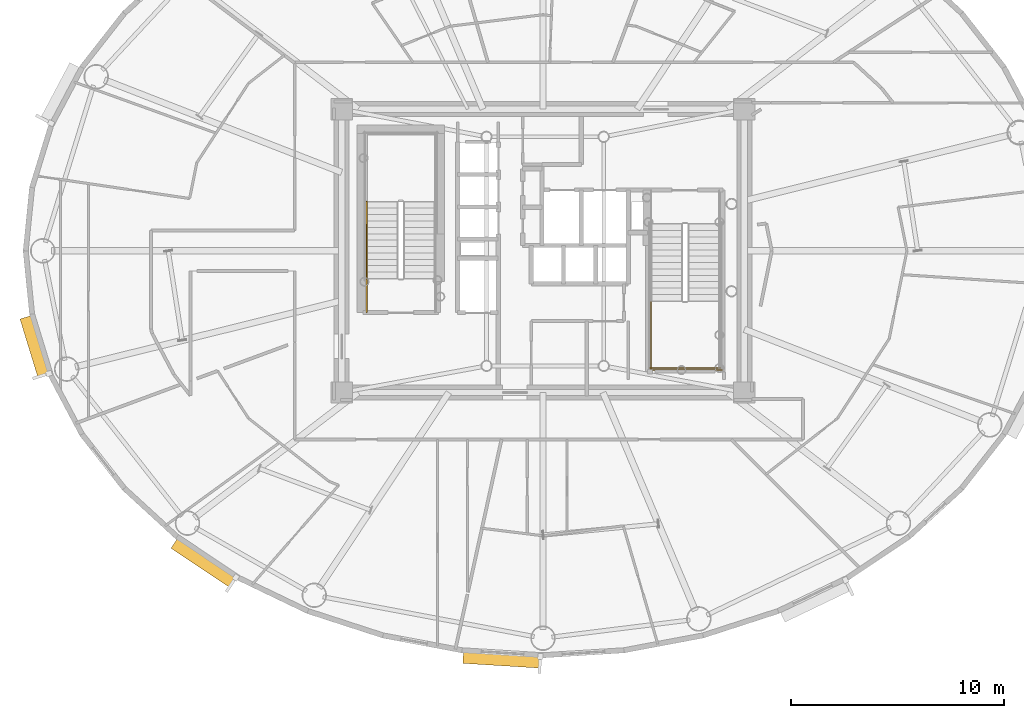
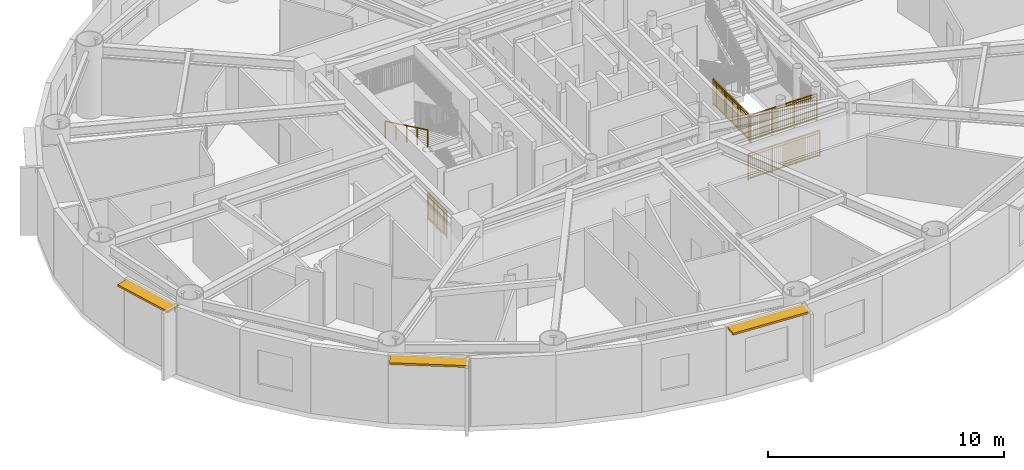
# One storey, part 15 of 22: 5 railings, 3 shading devices.
"""IFC4 building model written with IfcOpenShell, lengths in metres."""

from ifc_helpers import new_model, si_unit, direction, frame, origin, origin_2d, place, context, subcontext, project, spatial, rectangle, extrude, source, transform, mapped, material, layer, layer_set, type_object, element, save


model = new_model("IFC4")

# Units and contexts
model_context = context("Model", 3, precision=1e-05, world=origin(), true_north=direction((0.0, 1.0)))
body_context = subcontext(model_context, "Body", "Model", "MODEL_VIEW")
ifc_project = project(units=[si_unit("LENGTHUNIT", "METRE"), si_unit("AREAUNIT", "SQUARE_METRE"), si_unit("VOLUMEUNIT", "CUBIC_METRE"), si_unit("PLANEANGLEUNIT", "RADIAN"), si_unit("MASSUNIT", "GRAM", prefix="KILO")], contexts=[model_context])

# Site, building, storey
site_placement = place(None, origin())
site = spatial("IfcSite", under=ifc_project, at=site_placement, CompositionType="ELEMENT")
building_placement = place(site_placement, origin())
building = spatial("IfcBuilding", under=site, at=building_placement, Name="Linh Dai School and Residence Tower", CompositionType="ELEMENT")
storey_placement = place(building_placement, frame((0.0, 0.0, 214.050048828125)))
storey = spatial("IfcBuildingStorey", under=building, at=storey_placement, Name="L52", CompositionType="ELEMENT", Elevation=214.050048828125)

# Shading devices
ifc_material_1 = material(Name="Terracotta Ceramic Sunshade", Category="masonry")
ifc_layer = layer(ifc_material_1, 0.10009765625)
ifc_layer_set = layer_set([ifc_layer], Name="Terracotta Ceramic Sunshade")
shading_device_type = type_object("IfcShadingDeviceType", Name="SHD-TC-650", PredefinedType="USERDEFINED", material=ifc_layer_set)
shared_shape_1 = source(origin(), body_context, "Body", "SweptSolid", [
    extrude(rectangle(XDim=2.90380859375, YDim=0.64990234375, at=origin_2d()), origin(), (0.0, 0.0, 1.0), 0.10009765625),
])
shading_device_1_placement = place(storey_placement, frame((12.19384765625, 22.506591796875, 3.3798828125), z_axis=(0.0, 0.0, 1.0), x_axis=(-0.2931574026, 0.956064190994, 0.0)))
element("IfcShadingDevice", 1, at=shading_device_1_placement, inside=storey, type_object=shading_device_type, Name="L52 Terracotta Horizontal Sunshade Band 22", ObjectType="SUNSHADE", PredefinedType="USERDEFINED", context=body_context, shape_type="MappedRepresentation", body=[
    mapped(shared_shape_1, transform((0.0, 0.0, 0.0), x_axis=(1.0, 0.0, 0.0), y_axis=(0.0, 1.0, 0.0), z_axis=(0.0, 0.0, 1.0), scale=1.0)),
])
shared_shape_2 = source(origin(), body_context, "Body", "SweptSolid", [
    extrude(rectangle(XDim=3.3447265625, YDim=0.64990234375, at=origin_2d()), origin(), (0.0, 0.0, 1.0), 0.10009765625),
])
shading_device_2_placement = place(storey_placement, frame((20.11328125, 12.3837890625, 3.3798828125), z_axis=(0.0, 0.0, 1.0), x_axis=(-0.831257719597, 0.555887222025, 0.0)))
element("IfcShadingDevice", 2, at=shading_device_2_placement, inside=storey, type_object=shading_device_type, Name="L52 Terracotta Horizontal Sunshade Band 26", ObjectType="SUNSHADE", PredefinedType="USERDEFINED", context=body_context, shape_type="MappedRepresentation", body=[
    mapped(shared_shape_2, transform((0.0, 0.0, 0.0), x_axis=(1.0, 0.0, 0.0), y_axis=(0.0, 1.0, 0.0), z_axis=(0.0, 0.0, 1.0), scale=1.0)),
])
shared_shape_3 = source(origin(), body_context, "Body", "SweptSolid", [
    extrude(rectangle(XDim=3.656494140625, YDim=0.64990234375, at=origin_2d()), origin(), (0.0, 0.0, 1.0), 0.10009765625),
])
shading_device_3_placement = place(storey_placement, frame((34.08154296875, 7.852783203125, 3.3798828125), z_axis=(0.0, 0.0, 1.0), x_axis=(-0.998106809974, 0.061504437922, 0.0)))
element("IfcShadingDevice", 3, at=shading_device_3_placement, inside=storey, type_object=shading_device_type, Name="L52 Terracotta Horizontal Sunshade Band 30", ObjectType="SUNSHADE", PredefinedType="USERDEFINED", context=body_context, shape_type="MappedRepresentation", body=[
    mapped(shared_shape_3, transform((0.0, 0.0, 0.0), x_axis=(1.0, 0.0, 0.0), y_axis=(0.0, 1.0, 0.0), z_axis=(0.0, 0.0, 1.0), scale=1.0)),
])

# Railings
ifc_material_2 = material(Name="Structural Steel S355JR", Category="steel")
railing_type_1 = type_object("IfcRailingType", Name="RL-ST-GUARD-1400", PredefinedType="GUARDRAIL", material=ifc_material_2)
shared_shape_4 = source(origin(), body_context, "Body", "SweptSolid", [
    extrude(rectangle(XDim=0.048095703125, YDim=0.048095703125, at=origin_2d()), frame((0.0, 0.0, 1.3759765625), z_axis=(0.0, 1.0, 0.0), x_axis=(-1.0, 0.0, 0.0)), (0.0, 0.0, 1.0), 1.599853515625),
    extrude(rectangle(XDim=0.048095703125, YDim=0.048095703125, at=origin_2d()), frame((0.0, 0.0, 0.10009765625), z_axis=(0.0, 1.0, 0.0), x_axis=(-1.0, 0.0, 0.0)), (0.0, 0.0, 1.0), 1.599853515625),
    extrude(rectangle(XDim=0.030029296875, YDim=0.030029296875, at=origin_2d()), frame((0.0, 0.0, 1.239990234375), z_axis=(0.0, 1.0, 0.0), x_axis=(-1.0, 0.0, 0.0)), (0.0, 0.0, 1.0), 1.599853515625),
    extrude(rectangle(XDim=0.02001953125, YDim=0.02001953125, at=origin_2d()), frame((0.0, 0.093994140625, 0.10009765625)), (0.0, 0.0, 1.0), 1.251708984375),
    extrude(rectangle(XDim=0.02001953125, YDim=0.02001953125, at=origin_2d()), frame((0.0, 0.188232421875, 0.10009765625)), (0.0, 0.0, 1.0), 1.251708984375),
    extrude(rectangle(XDim=0.02001953125, YDim=0.02001953125, at=origin_2d()), frame((0.0, 0.2822265625, 0.10009765625)), (0.0, 0.0, 1.0), 1.251708984375),
    extrude(rectangle(XDim=0.02001953125, YDim=0.02001953125, at=origin_2d()), frame((0.0, 0.37646484375, 0.10009765625)), (0.0, 0.0, 1.0), 1.251708984375),
    extrude(rectangle(XDim=0.02001953125, YDim=0.02001953125, at=origin_2d()), frame((0.0, 0.470458984375, 0.10009765625)), (0.0, 0.0, 1.0), 1.251708984375),
    extrude(rectangle(XDim=0.02001953125, YDim=0.02001953125, at=origin_2d()), frame((0.0, 0.564697265625, 0.10009765625)), (0.0, 0.0, 1.0), 1.251708984375),
    extrude(rectangle(XDim=0.02001953125, YDim=0.02001953125, at=origin_2d()), frame((0.0, 0.65869140625, 0.10009765625)), (0.0, 0.0, 1.0), 1.251708984375),
    extrude(rectangle(XDim=0.02001953125, YDim=0.02001953125, at=origin_2d()), frame((0.0, 0.7529296875, 0.10009765625)), (0.0, 0.0, 1.0), 1.251708984375),
    extrude(rectangle(XDim=0.02001953125, YDim=0.02001953125, at=origin_2d()), frame((0.0, 0.846923828125, 0.10009765625)), (0.0, 0.0, 1.0), 1.251708984375),
    extrude(rectangle(XDim=0.02001953125, YDim=0.02001953125, at=origin_2d()), frame((0.0, 0.941162109375, 0.10009765625)), (0.0, 0.0, 1.0), 1.251708984375),
    extrude(rectangle(XDim=0.02001953125, YDim=0.02001953125, at=origin_2d()), frame((0.0, 1.03515625, 0.10009765625)), (0.0, 0.0, 1.0), 1.251708984375),
    extrude(rectangle(XDim=0.02001953125, YDim=0.02001953125, at=origin_2d()), frame((0.0, 1.12939453125, 0.10009765625)), (0.0, 0.0, 1.0), 1.251708984375),
    extrude(rectangle(XDim=0.02001953125, YDim=0.02001953125, at=origin_2d()), frame((0.0, 1.223388671875, 0.10009765625)), (0.0, 0.0, 1.0), 1.251708984375),
    extrude(rectangle(XDim=0.02001953125, YDim=0.02001953125, at=origin_2d()), frame((0.0, 1.317626953125, 0.10009765625)), (0.0, 0.0, 1.0), 1.251708984375),
    extrude(rectangle(XDim=0.02001953125, YDim=0.02001953125, at=origin_2d()), frame((0.0, 1.41162109375, 0.10009765625)), (0.0, 0.0, 1.0), 1.251708984375),
    extrude(rectangle(XDim=0.02001953125, YDim=0.02001953125, at=origin_2d()), frame((0.0, 1.505859375, 0.10009765625)), (0.0, 0.0, 1.0), 1.251708984375),
    extrude(rectangle(XDim=0.0419921875, YDim=0.0419921875, at=origin_2d()), origin(), (0.0, 0.0, 1.0), 1.3759765625),
    extrude(rectangle(XDim=0.0419921875, YDim=0.0419921875, at=origin_2d()), frame((0.0, 0.7998046875, 0.0)), (0.0, 0.0, 1.0), 1.3759765625),
    extrude(rectangle(XDim=0.0419921875, YDim=0.0419921875, at=origin_2d()), frame((0.0, 1.599853515625, 0.0)), (0.0, 0.0, 1.0), 1.3759765625),
])
railing_1_placement = place(storey_placement, frame((27.72998046875, 24.10009765625, 0.0)))
element("IfcRailing", 4, at=railing_1_placement, inside=storey, type_object=railing_type_1, Name="L52 ST1 stair guard 9", PredefinedType="GUARDRAIL", context=body_context, shape_type="MappedRepresentation", body=[
    mapped(shared_shape_4, transform((0.0, 0.0, 0.0), x_axis=(1.0, 0.0, 0.0), y_axis=(0.0, 1.0, 0.0), z_axis=(0.0, 0.0, 1.0), scale=1.0)),
])
ifc_material_3 = material(Name="Brushed Stainless Steel Handrail", Category="steel")
railing_type_2 = type_object("IfcRailingType", Name="RL-ST-HANDRAIL-900", PredefinedType="HANDRAIL", material=ifc_material_3)
shared_shape_5 = source(origin(), body_context, "Body", "SweptSolid", [
    extrude(rectangle(XDim=0.048095703125, YDim=0.048095703125, at=origin_2d()), frame((0.0, 0.0, 0.8759765625), z_axis=(0.0, -0.901262522062, 0.433273431364), x_axis=(1.0, 0.0, 0.0)), (0.0, 0.0, 1.0), 3.994384765625),
    extrude(rectangle(XDim=0.0419921875, YDim=0.0419921875, at=origin_2d()), origin(), (0.0, 0.0, 1.0), 0.8759765625),
    extrude(rectangle(XDim=0.0419921875, YDim=0.0419921875, at=origin_2d()), frame((0.0, -0.89990234375, 0.4326171875)), (0.0, 0.0, 1.0), 0.8759765625),
    extrude(rectangle(XDim=0.0419921875, YDim=0.0419921875, at=origin_2d()), frame((0.0, -1.800048828125, 0.865234375)), (0.0, 0.0, 1.0), 0.8759765625),
    extrude(rectangle(XDim=0.0419921875, YDim=0.0419921875, at=origin_2d()), frame((0.0, -2.7001953125, 1.298095703125)), (0.0, 0.0, 1.0), 0.8759765625),
    extrude(rectangle(XDim=0.0419921875, YDim=0.0419921875, at=origin_2d()), frame((0.0, -3.60009765625, 1.730712890625)), (0.0, 0.0, 1.0), 0.8759765625),
])
railing_2_placement = place(storey_placement, frame((27.72998046875, 29.300048828125, 2.019287109375)))
element("IfcRailing", 5, at=railing_2_placement, inside=storey, type_object=railing_type_2, Name="L52 ST1 stair handrail 2", PredefinedType="HANDRAIL", context=body_context, shape_type="MappedRepresentation", body=[
    mapped(shared_shape_5, transform((0.0, 0.0, 0.0), x_axis=(1.0, 0.0, 0.0), y_axis=(0.0, 1.0, 0.0), z_axis=(0.0, 0.0, 1.0), scale=1.0)),
])
shared_shape_6 = source(origin(), body_context, "Body", "SweptSolid", [
    extrude(rectangle(XDim=0.048095703125, YDim=0.048095703125, at=origin_2d()), frame((0.0, 0.0, 1.3759765625), z_axis=(1.0, 0.0, 0.0), x_axis=(0.0, 1.0, 0.0)), (0.0, 0.0, 1.0), 3.300048828125),
    extrude(rectangle(XDim=0.048095703125, YDim=0.048095703125, at=origin_2d()), frame((0.0, 0.0, 0.10009765625), z_axis=(1.0, 0.0, 0.0), x_axis=(0.0, 1.0, 0.0)), (0.0, 0.0, 1.0), 3.300048828125),
    extrude(rectangle(XDim=0.030029296875, YDim=0.030029296875, at=origin_2d()), frame((0.0, 0.0, 1.239990234375), z_axis=(1.0, 0.0, 0.0), x_axis=(0.0, 1.0, 0.0)), (0.0, 0.0, 1.0), 3.300048828125),
    extrude(rectangle(XDim=0.02001953125, YDim=0.02001953125, at=origin_2d()), frame((0.09716796875, 0.0, 0.10009765625)), (0.0, 0.0, 1.0), 1.251708984375),
    extrude(rectangle(XDim=0.02001953125, YDim=0.02001953125, at=origin_2d()), frame((0.194091796875, 0.0, 0.10009765625)), (0.0, 0.0, 1.0), 1.251708984375),
    extrude(rectangle(XDim=0.02001953125, YDim=0.02001953125, at=origin_2d()), frame((0.291259765625, 0.0, 0.10009765625)), (0.0, 0.0, 1.0), 1.251708984375),
    extrude(rectangle(XDim=0.02001953125, YDim=0.02001953125, at=origin_2d()), frame((0.38818359375, 0.0, 0.10009765625)), (0.0, 0.0, 1.0), 1.251708984375),
    extrude(rectangle(XDim=0.02001953125, YDim=0.02001953125, at=origin_2d()), frame((0.4853515625, 0.0, 0.10009765625)), (0.0, 0.0, 1.0), 1.251708984375),
    extrude(rectangle(XDim=0.02001953125, YDim=0.02001953125, at=origin_2d()), frame((0.582275390625, 0.0, 0.10009765625)), (0.0, 0.0, 1.0), 1.251708984375),
    extrude(rectangle(XDim=0.02001953125, YDim=0.02001953125, at=origin_2d()), frame((0.679443359375, 0.0, 0.10009765625)), (0.0, 0.0, 1.0), 1.251708984375),
    extrude(rectangle(XDim=0.02001953125, YDim=0.02001953125, at=origin_2d()), frame((0.7763671875, 0.0, 0.10009765625)), (0.0, 0.0, 1.0), 1.251708984375),
    extrude(rectangle(XDim=0.02001953125, YDim=0.02001953125, at=origin_2d()), frame((0.87353515625, 0.0, 0.10009765625)), (0.0, 0.0, 1.0), 1.251708984375),
    extrude(rectangle(XDim=0.02001953125, YDim=0.02001953125, at=origin_2d()), frame((0.970703125, 0.0, 0.10009765625)), (0.0, 0.0, 1.0), 1.251708984375),
    extrude(rectangle(XDim=0.02001953125, YDim=0.02001953125, at=origin_2d()), frame((1.164794921875, 0.0, 0.10009765625)), (0.0, 0.0, 1.0), 1.251708984375),
    extrude(rectangle(XDim=0.02001953125, YDim=0.02001953125, at=origin_2d()), frame((1.26171875, 0.0, 0.10009765625)), (0.0, 0.0, 1.0), 1.251708984375),
    extrude(rectangle(XDim=0.02001953125, YDim=0.02001953125, at=origin_2d()), frame((1.35888671875, 0.0, 0.10009765625)), (0.0, 0.0, 1.0), 1.251708984375),
    extrude(rectangle(XDim=0.02001953125, YDim=0.02001953125, at=origin_2d()), frame((1.455810546875, 0.0, 0.10009765625)), (0.0, 0.0, 1.0), 1.251708984375),
    extrude(rectangle(XDim=0.02001953125, YDim=0.02001953125, at=origin_2d()), frame((1.552978515625, 0.0, 0.10009765625)), (0.0, 0.0, 1.0), 1.251708984375),
    extrude(rectangle(XDim=0.02001953125, YDim=0.02001953125, at=origin_2d()), frame((1.64990234375, 0.0, 0.10009765625)), (0.0, 0.0, 1.0), 1.251708984375),
    extrude(rectangle(XDim=0.02001953125, YDim=0.02001953125, at=origin_2d()), frame((1.7470703125, 0.0, 0.10009765625)), (0.0, 0.0, 1.0), 1.251708984375),
    extrude(rectangle(XDim=0.02001953125, YDim=0.02001953125, at=origin_2d()), frame((1.84423828125, 0.0, 0.10009765625)), (0.0, 0.0, 1.0), 1.251708984375),
    extrude(rectangle(XDim=0.02001953125, YDim=0.02001953125, at=origin_2d()), frame((1.941162109375, 0.0, 0.10009765625)), (0.0, 0.0, 1.0), 1.251708984375),
    extrude(rectangle(XDim=0.02001953125, YDim=0.02001953125, at=origin_2d()), frame((2.038330078125, 0.0, 0.10009765625)), (0.0, 0.0, 1.0), 1.251708984375),
    extrude(rectangle(XDim=0.02001953125, YDim=0.02001953125, at=origin_2d()), frame((2.13525390625, 0.0, 0.10009765625)), (0.0, 0.0, 1.0), 1.251708984375),
    extrude(rectangle(XDim=0.02001953125, YDim=0.02001953125, at=origin_2d()), frame((2.329345703125, 0.0, 0.10009765625)), (0.0, 0.0, 1.0), 1.251708984375),
    extrude(rectangle(XDim=0.02001953125, YDim=0.02001953125, at=origin_2d()), frame((2.426513671875, 0.0, 0.10009765625)), (0.0, 0.0, 1.0), 1.251708984375),
    extrude(rectangle(XDim=0.02001953125, YDim=0.02001953125, at=origin_2d()), frame((2.523681640625, 0.0, 0.10009765625)), (0.0, 0.0, 1.0), 1.251708984375),
    extrude(rectangle(XDim=0.02001953125, YDim=0.02001953125, at=origin_2d()), frame((2.62060546875, 0.0, 0.10009765625)), (0.0, 0.0, 1.0), 1.251708984375),
    extrude(rectangle(XDim=0.02001953125, YDim=0.02001953125, at=origin_2d()), frame((2.7177734375, 0.0, 0.10009765625)), (0.0, 0.0, 1.0), 1.251708984375),
    extrude(rectangle(XDim=0.02001953125, YDim=0.02001953125, at=origin_2d()), frame((2.814697265625, 0.0, 0.10009765625)), (0.0, 0.0, 1.0), 1.251708984375),
    extrude(rectangle(XDim=0.02001953125, YDim=0.02001953125, at=origin_2d()), frame((2.911865234375, 0.0, 0.10009765625)), (0.0, 0.0, 1.0), 1.251708984375),
    extrude(rectangle(XDim=0.02001953125, YDim=0.02001953125, at=origin_2d()), frame((3.0087890625, 0.0, 0.10009765625)), (0.0, 0.0, 1.0), 1.251708984375),
    extrude(rectangle(XDim=0.02001953125, YDim=0.02001953125, at=origin_2d()), frame((3.10595703125, 0.0, 0.10009765625)), (0.0, 0.0, 1.0), 1.251708984375),
    extrude(rectangle(XDim=0.02001953125, YDim=0.02001953125, at=origin_2d()), frame((3.202880859375, 0.0, 0.10009765625)), (0.0, 0.0, 1.0), 1.251708984375),
    extrude(rectangle(XDim=0.0419921875, YDim=0.0419921875, at=origin_2d()), origin(), (0.0, 0.0, 1.0), 1.3759765625),
    extrude(rectangle(XDim=0.0419921875, YDim=0.0419921875, at=origin_2d()), frame((1.10009765625, 0.0, 0.0)), (0.0, 0.0, 1.0), 1.3759765625),
    extrude(rectangle(XDim=0.0419921875, YDim=0.0419921875, at=origin_2d()), frame((2.199951171875, 0.0, 0.0)), (0.0, 0.0, 1.0), 1.3759765625),
    extrude(rectangle(XDim=0.0419921875, YDim=0.0419921875, at=origin_2d()), frame((3.300048828125, 0.0, 0.0)), (0.0, 0.0, 1.0), 1.3759765625),
])
railing_3_placement = place(storey_placement, frame((41.02001953125, 21.5, 1.875)))
element("IfcRailing", 6, at=railing_3_placement, inside=storey, type_object=railing_type_1, Name="L52 ST2 stair guard 5", PredefinedType="GUARDRAIL", context=body_context, shape_type="MappedRepresentation", body=[
    mapped(shared_shape_6, transform((0.0, 0.0, 0.0), x_axis=(1.0, 0.0, 0.0), y_axis=(0.0, 1.0, 0.0), z_axis=(0.0, 0.0, 1.0), scale=1.0)),
])
shared_shape_7 = source(origin(), body_context, "Body", "SweptSolid", [
    extrude(rectangle(XDim=0.048095703125, YDim=0.048095703125, at=origin_2d()), frame((0.0, 0.0, 1.3759765625), z_axis=(1.0, 0.0, 0.0), x_axis=(0.0, 1.0, 0.0)), (0.0, 0.0, 1.0), 3.5),
    extrude(rectangle(XDim=0.048095703125, YDim=0.048095703125, at=origin_2d()), frame((0.0, 0.0, 0.10009765625), z_axis=(1.0, 0.0, 0.0), x_axis=(0.0, 1.0, 0.0)), (0.0, 0.0, 1.0), 3.5),
    extrude(rectangle(XDim=0.030029296875, YDim=0.030029296875, at=origin_2d()), frame((0.0, 0.0, 1.239990234375), z_axis=(1.0, 0.0, 0.0), x_axis=(0.0, 1.0, 0.0)), (0.0, 0.0, 1.0), 3.5),
    extrude(rectangle(XDim=0.02001953125, YDim=0.02001953125, at=origin_2d()), frame((0.09716796875, 0.0, 0.10009765625)), (0.0, 0.0, 1.0), 1.251708984375),
    extrude(rectangle(XDim=0.02001953125, YDim=0.02001953125, at=origin_2d()), frame((0.1943359375, 0.0, 0.10009765625)), (0.0, 0.0, 1.0), 1.251708984375),
    extrude(rectangle(XDim=0.02001953125, YDim=0.02001953125, at=origin_2d()), frame((0.291748046875, 0.0, 0.10009765625)), (0.0, 0.0, 1.0), 1.251708984375),
    extrude(rectangle(XDim=0.02001953125, YDim=0.02001953125, at=origin_2d()), frame((0.388916015625, 0.0, 0.10009765625)), (0.0, 0.0, 1.0), 1.251708984375),
    extrude(rectangle(XDim=0.02001953125, YDim=0.02001953125, at=origin_2d()), frame((0.486083984375, 0.0, 0.10009765625)), (0.0, 0.0, 1.0), 1.251708984375),
    extrude(rectangle(XDim=0.02001953125, YDim=0.02001953125, at=origin_2d()), frame((0.583251953125, 0.0, 0.10009765625)), (0.0, 0.0, 1.0), 1.251708984375),
    extrude(rectangle(XDim=0.02001953125, YDim=0.02001953125, at=origin_2d()), frame((0.6806640625, 0.0, 0.10009765625)), (0.0, 0.0, 1.0), 1.251708984375),
    extrude(rectangle(XDim=0.02001953125, YDim=0.02001953125, at=origin_2d()), frame((0.77783203125, 0.0, 0.10009765625)), (0.0, 0.0, 1.0), 1.251708984375),
    extrude(rectangle(XDim=0.02001953125, YDim=0.02001953125, at=origin_2d()), frame((0.875, 0.0, 0.10009765625)), (0.0, 0.0, 1.0), 1.251708984375),
    extrude(rectangle(XDim=0.02001953125, YDim=0.02001953125, at=origin_2d()), frame((0.97216796875, 0.0, 0.10009765625)), (0.0, 0.0, 1.0), 1.251708984375),
    extrude(rectangle(XDim=0.02001953125, YDim=0.02001953125, at=origin_2d()), frame((1.0693359375, 0.0, 0.10009765625)), (0.0, 0.0, 1.0), 1.251708984375),
    extrude(rectangle(XDim=0.02001953125, YDim=0.02001953125, at=origin_2d()), frame((1.263916015625, 0.0, 0.10009765625)), (0.0, 0.0, 1.0), 1.251708984375),
    extrude(rectangle(XDim=0.02001953125, YDim=0.02001953125, at=origin_2d()), frame((1.361083984375, 0.0, 0.10009765625)), (0.0, 0.0, 1.0), 1.251708984375),
    extrude(rectangle(XDim=0.02001953125, YDim=0.02001953125, at=origin_2d()), frame((1.458251953125, 0.0, 0.10009765625)), (0.0, 0.0, 1.0), 1.251708984375),
    extrude(rectangle(XDim=0.02001953125, YDim=0.02001953125, at=origin_2d()), frame((1.5556640625, 0.0, 0.10009765625)), (0.0, 0.0, 1.0), 1.251708984375),
    extrude(rectangle(XDim=0.02001953125, YDim=0.02001953125, at=origin_2d()), frame((1.65283203125, 0.0, 0.10009765625)), (0.0, 0.0, 1.0), 1.251708984375),
    extrude(rectangle(XDim=0.02001953125, YDim=0.02001953125, at=origin_2d()), frame((1.75, 0.0, 0.10009765625)), (0.0, 0.0, 1.0), 1.251708984375),
    extrude(rectangle(XDim=0.02001953125, YDim=0.02001953125, at=origin_2d()), frame((1.84716796875, 0.0, 0.10009765625)), (0.0, 0.0, 1.0), 1.251708984375),
    extrude(rectangle(XDim=0.02001953125, YDim=0.02001953125, at=origin_2d()), frame((1.9443359375, 0.0, 0.10009765625)), (0.0, 0.0, 1.0), 1.251708984375),
    extrude(rectangle(XDim=0.02001953125, YDim=0.02001953125, at=origin_2d()), frame((2.041748046875, 0.0, 0.10009765625)), (0.0, 0.0, 1.0), 1.251708984375),
    extrude(rectangle(XDim=0.02001953125, YDim=0.02001953125, at=origin_2d()), frame((2.138916015625, 0.0, 0.10009765625)), (0.0, 0.0, 1.0), 1.251708984375),
    extrude(rectangle(XDim=0.02001953125, YDim=0.02001953125, at=origin_2d()), frame((2.236083984375, 0.0, 0.10009765625)), (0.0, 0.0, 1.0), 1.251708984375),
    extrude(rectangle(XDim=0.02001953125, YDim=0.02001953125, at=origin_2d()), frame((2.4306640625, 0.0, 0.10009765625)), (0.0, 0.0, 1.0), 1.251708984375),
    extrude(rectangle(XDim=0.02001953125, YDim=0.02001953125, at=origin_2d()), frame((2.52783203125, 0.0, 0.10009765625)), (0.0, 0.0, 1.0), 1.251708984375),
    extrude(rectangle(XDim=0.02001953125, YDim=0.02001953125, at=origin_2d()), frame((2.625, 0.0, 0.10009765625)), (0.0, 0.0, 1.0), 1.251708984375),
    extrude(rectangle(XDim=0.02001953125, YDim=0.02001953125, at=origin_2d()), frame((2.72216796875, 0.0, 0.10009765625)), (0.0, 0.0, 1.0), 1.251708984375),
    extrude(rectangle(XDim=0.02001953125, YDim=0.02001953125, at=origin_2d()), frame((2.8193359375, 0.0, 0.10009765625)), (0.0, 0.0, 1.0), 1.251708984375),
    extrude(rectangle(XDim=0.02001953125, YDim=0.02001953125, at=origin_2d()), frame((2.916748046875, 0.0, 0.10009765625)), (0.0, 0.0, 1.0), 1.251708984375),
    extrude(rectangle(XDim=0.02001953125, YDim=0.02001953125, at=origin_2d()), frame((3.013916015625, 0.0, 0.10009765625)), (0.0, 0.0, 1.0), 1.251708984375),
    extrude(rectangle(XDim=0.02001953125, YDim=0.02001953125, at=origin_2d()), frame((3.111083984375, 0.0, 0.10009765625)), (0.0, 0.0, 1.0), 1.251708984375),
    extrude(rectangle(XDim=0.02001953125, YDim=0.02001953125, at=origin_2d()), frame((3.208251953125, 0.0, 0.10009765625)), (0.0, 0.0, 1.0), 1.251708984375),
    extrude(rectangle(XDim=0.02001953125, YDim=0.02001953125, at=origin_2d()), frame((3.3056640625, 0.0, 0.10009765625)), (0.0, 0.0, 1.0), 1.251708984375),
    extrude(rectangle(XDim=0.02001953125, YDim=0.02001953125, at=origin_2d()), frame((3.40283203125, 0.0, 0.10009765625)), (0.0, 0.0, 1.0), 1.251708984375),
    extrude(rectangle(XDim=0.0419921875, YDim=0.0419921875, at=origin_2d()), origin(), (0.0, 0.0, 1.0), 1.3759765625),
    extrude(rectangle(XDim=0.0419921875, YDim=0.0419921875, at=origin_2d()), frame((1.166748046875, 0.0, 0.0)), (0.0, 0.0, 1.0), 1.3759765625),
    extrude(rectangle(XDim=0.0419921875, YDim=0.0419921875, at=origin_2d()), frame((2.333251953125, 0.0, 0.0)), (0.0, 0.0, 1.0), 1.3759765625),
    extrude(rectangle(XDim=0.0419921875, YDim=0.0419921875, at=origin_2d()), frame((3.5, 0.0, 0.0)), (0.0, 0.0, 1.0), 1.3759765625),
])
railing_4_placement = place(storey_placement, frame((40.919921875, 21.39990234375, 0.0)))
element("IfcRailing", 7, at=railing_4_placement, inside=storey, type_object=railing_type_1, Name="L52 ST2 stair guard 12", PredefinedType="GUARDRAIL", context=body_context, shape_type="MappedRepresentation", body=[
    mapped(shared_shape_7, transform((0.0, 0.0, 0.0), x_axis=(1.0, 0.0, 0.0), y_axis=(0.0, 1.0, 0.0), z_axis=(0.0, 0.0, 1.0), scale=1.0)),
])
shared_shape_8 = source(origin(), body_context, "Body", "SweptSolid", [
    extrude(rectangle(XDim=0.048095703125, YDim=0.048095703125, at=origin_2d()), frame((0.0, 0.0, 1.3759765625), z_axis=(0.0, -1.0, 0.0), x_axis=(1.0, 0.0, 0.0)), (0.0, 0.0, 1.0), 3.199951171875),
    extrude(rectangle(XDim=0.048095703125, YDim=0.048095703125, at=origin_2d()), frame((0.0, 0.0, 0.10009765625), z_axis=(0.0, -1.0, 0.0), x_axis=(1.0, 0.0, 0.0)), (0.0, 0.0, 1.0), 3.199951171875),
    extrude(rectangle(XDim=0.030029296875, YDim=0.030029296875, at=origin_2d()), frame((0.0, 0.0, 1.239990234375), z_axis=(0.0, -1.0, 0.0), x_axis=(1.0, 0.0, 0.0)), (0.0, 0.0, 1.0), 3.199951171875),
    extrude(rectangle(XDim=0.02001953125, YDim=0.02001953125, at=origin_2d()), frame((0.0, -0.096923828125, 0.10009765625)), (0.0, 0.0, 1.0), 1.251708984375),
    extrude(rectangle(XDim=0.02001953125, YDim=0.02001953125, at=origin_2d()), frame((0.0, -0.19384765625, 0.10009765625)), (0.0, 0.0, 1.0), 1.251708984375),
    extrude(rectangle(XDim=0.02001953125, YDim=0.02001953125, at=origin_2d()), frame((0.0, -0.291015625, 0.10009765625)), (0.0, 0.0, 1.0), 1.251708984375),
    extrude(rectangle(XDim=0.02001953125, YDim=0.02001953125, at=origin_2d()), frame((0.0, -0.387939453125, 0.10009765625)), (0.0, 0.0, 1.0), 1.251708984375),
    extrude(rectangle(XDim=0.02001953125, YDim=0.02001953125, at=origin_2d()), frame((0.0, -0.48486328125, 0.10009765625)), (0.0, 0.0, 1.0), 1.251708984375),
    extrude(rectangle(XDim=0.02001953125, YDim=0.02001953125, at=origin_2d()), frame((0.0, -0.581787109375, 0.10009765625)), (0.0, 0.0, 1.0), 1.251708984375),
    extrude(rectangle(XDim=0.02001953125, YDim=0.02001953125, at=origin_2d()), frame((0.0, -0.6787109375, 0.10009765625)), (0.0, 0.0, 1.0), 1.251708984375),
    extrude(rectangle(XDim=0.02001953125, YDim=0.02001953125, at=origin_2d()), frame((0.0, -0.775634765625, 0.10009765625)), (0.0, 0.0, 1.0), 1.251708984375),
    extrude(rectangle(XDim=0.02001953125, YDim=0.02001953125, at=origin_2d()), frame((0.0, -0.872802734375, 0.10009765625)), (0.0, 0.0, 1.0), 1.251708984375),
    extrude(rectangle(XDim=0.02001953125, YDim=0.02001953125, at=origin_2d()), frame((0.0, -0.9697265625, 0.10009765625)), (0.0, 0.0, 1.0), 1.251708984375),
    extrude(rectangle(XDim=0.02001953125, YDim=0.02001953125, at=origin_2d()), frame((0.0, -1.16357421875, 0.10009765625)), (0.0, 0.0, 1.0), 1.251708984375),
    extrude(rectangle(XDim=0.02001953125, YDim=0.02001953125, at=origin_2d()), frame((0.0, -1.260498046875, 0.10009765625)), (0.0, 0.0, 1.0), 1.251708984375),
    extrude(rectangle(XDim=0.02001953125, YDim=0.02001953125, at=origin_2d()), frame((0.0, -1.357666015625, 0.10009765625)), (0.0, 0.0, 1.0), 1.251708984375),
    extrude(rectangle(XDim=0.02001953125, YDim=0.02001953125, at=origin_2d()), frame((0.0, -1.45458984375, 0.10009765625)), (0.0, 0.0, 1.0), 1.251708984375),
    extrude(rectangle(XDim=0.02001953125, YDim=0.02001953125, at=origin_2d()), frame((0.0, -1.551513671875, 0.10009765625)), (0.0, 0.0, 1.0), 1.251708984375),
    extrude(rectangle(XDim=0.02001953125, YDim=0.02001953125, at=origin_2d()), frame((0.0, -1.6484375, 0.10009765625)), (0.0, 0.0, 1.0), 1.251708984375),
    extrude(rectangle(XDim=0.02001953125, YDim=0.02001953125, at=origin_2d()), frame((0.0, -1.745361328125, 0.10009765625)), (0.0, 0.0, 1.0), 1.251708984375),
    extrude(rectangle(XDim=0.02001953125, YDim=0.02001953125, at=origin_2d()), frame((0.0, -1.84228515625, 0.10009765625)), (0.0, 0.0, 1.0), 1.251708984375),
    extrude(rectangle(XDim=0.02001953125, YDim=0.02001953125, at=origin_2d()), frame((0.0, -1.939453125, 0.10009765625)), (0.0, 0.0, 1.0), 1.251708984375),
    extrude(rectangle(XDim=0.02001953125, YDim=0.02001953125, at=origin_2d()), frame((0.0, -2.036376953125, 0.10009765625)), (0.0, 0.0, 1.0), 1.251708984375),
    extrude(rectangle(XDim=0.02001953125, YDim=0.02001953125, at=origin_2d()), frame((0.0, -2.230224609375, 0.10009765625)), (0.0, 0.0, 1.0), 1.251708984375),
    extrude(rectangle(XDim=0.02001953125, YDim=0.02001953125, at=origin_2d()), frame((0.0, -2.3271484375, 0.10009765625)), (0.0, 0.0, 1.0), 1.251708984375),
    extrude(rectangle(XDim=0.02001953125, YDim=0.02001953125, at=origin_2d()), frame((0.0, -2.42431640625, 0.10009765625)), (0.0, 0.0, 1.0), 1.251708984375),
    extrude(rectangle(XDim=0.02001953125, YDim=0.02001953125, at=origin_2d()), frame((0.0, -2.521240234375, 0.10009765625)), (0.0, 0.0, 1.0), 1.251708984375),
    extrude(rectangle(XDim=0.02001953125, YDim=0.02001953125, at=origin_2d()), frame((0.0, -2.6181640625, 0.10009765625)), (0.0, 0.0, 1.0), 1.251708984375),
    extrude(rectangle(XDim=0.02001953125, YDim=0.02001953125, at=origin_2d()), frame((0.0, -2.715087890625, 0.10009765625)), (0.0, 0.0, 1.0), 1.251708984375),
    extrude(rectangle(XDim=0.02001953125, YDim=0.02001953125, at=origin_2d()), frame((0.0, -2.81201171875, 0.10009765625)), (0.0, 0.0, 1.0), 1.251708984375),
    extrude(rectangle(XDim=0.02001953125, YDim=0.02001953125, at=origin_2d()), frame((0.0, -2.908935546875, 0.10009765625)), (0.0, 0.0, 1.0), 1.251708984375),
    extrude(rectangle(XDim=0.02001953125, YDim=0.02001953125, at=origin_2d()), frame((0.0, -3.006103515625, 0.10009765625)), (0.0, 0.0, 1.0), 1.251708984375),
    extrude(rectangle(XDim=0.02001953125, YDim=0.02001953125, at=origin_2d()), frame((0.0, -3.10302734375, 0.10009765625)), (0.0, 0.0, 1.0), 1.251708984375),
    extrude(rectangle(XDim=0.0419921875, YDim=0.0419921875, at=origin_2d()), origin(), (0.0, 0.0, 1.0), 1.3759765625),
    extrude(rectangle(XDim=0.0419921875, YDim=0.0419921875, at=origin_2d()), frame((0.0, -1.066650390625, 0.0)), (0.0, 0.0, 1.0), 1.3759765625),
    extrude(rectangle(XDim=0.0419921875, YDim=0.0419921875, at=origin_2d()), frame((0.0, -2.13330078125, 0.0)), (0.0, 0.0, 1.0), 1.3759765625),
    extrude(rectangle(XDim=0.0419921875, YDim=0.0419921875, at=origin_2d()), frame((0.0, -3.199951171875, 0.0)), (0.0, 0.0, 1.0), 1.3759765625),
])
railing_5_placement = place(storey_placement, frame((41.070068359375, 24.64990234375, 1.875)))
element("IfcRailing", 8, at=railing_5_placement, inside=storey, type_object=railing_type_1, Name="L52 ST2 stair guard 3", PredefinedType="GUARDRAIL", context=body_context, shape_type="MappedRepresentation", body=[
    mapped(shared_shape_8, transform((0.0, 0.0, 0.0), x_axis=(1.0, 0.0, 0.0), y_axis=(0.0, 1.0, 0.0), z_axis=(0.0, 0.0, 1.0), scale=1.0)),
])

save(model, "model.ifc")
